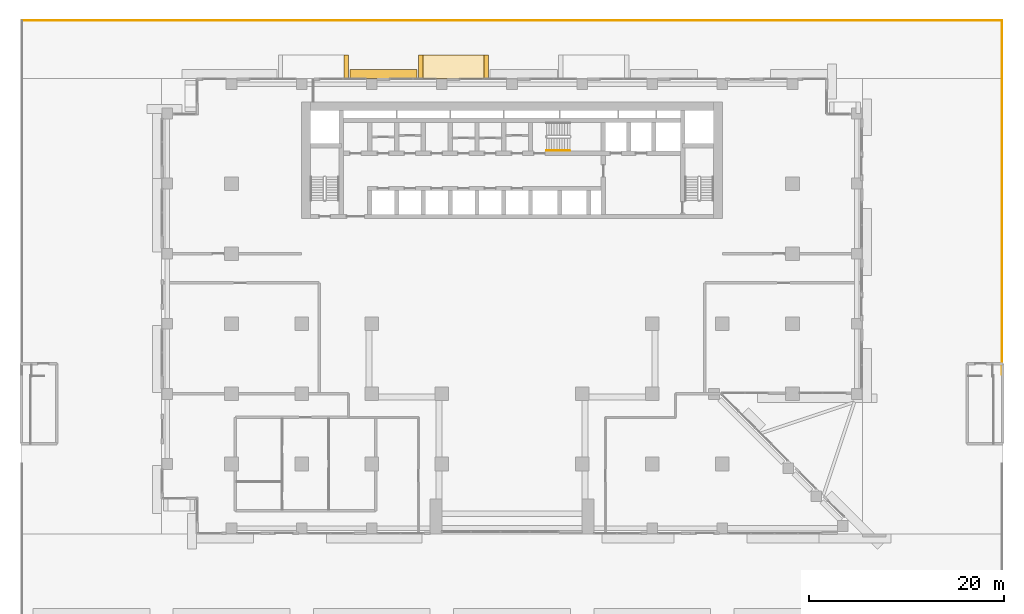
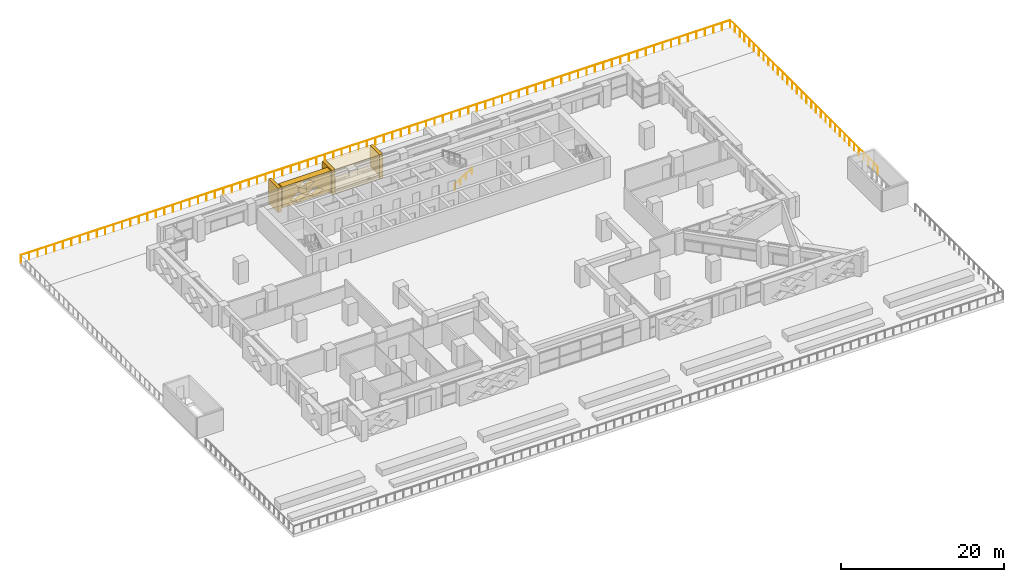
# One storey, part 21 of 24: 6 coverings, 2 railings.
"""IFC4 building model written with IfcOpenShell, lengths in metres."""

from ifc_helpers import new_model, si_unit, direction, frame, origin, origin_2d, place, context, subcontext, project, spatial, polyline, circle, outline, extrude, material, type_object, element, save


model = new_model("IFC4")

# Units and contexts
model_context = context("Model", 3, precision=1e-05, world=origin(), true_north=direction((0.0, 1.0)))
body_context = subcontext(model_context, "Body", "Model", "MODEL_VIEW")
ifc_project = project(units=[si_unit("LENGTHUNIT", "METRE"), si_unit("AREAUNIT", "SQUARE_METRE"), si_unit("VOLUMEUNIT", "CUBIC_METRE"), si_unit("PLANEANGLEUNIT", "RADIAN"), si_unit("MASSUNIT", "GRAM", prefix="KILO")], contexts=[model_context])

# Site, building, storey
site_placement = place(None, origin())
site = spatial("IfcSite", under=ifc_project, at=site_placement, CompositionType="ELEMENT")
building_placement = place(site_placement, origin())
building = spatial("IfcBuilding", under=site, at=building_placement, Name="Saffron Iwan Residences", CompositionType="ELEMENT")
storey_placement = place(building_placement, frame((0.0, 0.0, 27.0)))
storey = spatial("IfcBuildingStorey", under=building, at=storey_placement, Name="L05", CompositionType="ELEMENT", Elevation=27.0)

# Covering
ifc_material_1 = material(Name="Precast concrete C40/50", Category="concrete")
covering_type_1 = type_object("IfcCoveringType", Name="OUTER SKIN LATTICE SCREEN", PredefinedType="CLADDING", material=ifc_material_1)
covering_1_placement = place(storey_placement, frame((40.64990234375, 80.39990234375, 0.050048828125), z_axis=(0.0, 1.0, 0.0), x_axis=(-1.0, 0.0, 0.0)))
element("IfcCovering", 1, at=covering_1_placement, inside=storey, type_object=covering_type_1, Name="OUTER SKIN lattice screen L05 F5.3", PredefinedType="CLADDING", context=body_context, shape_type="SweptSolid", body=[
    extrude(outline(polyline([(0.0, 0.0), (6.89990234375, 0.0), (6.89990234375, 3.1298828125), (0.0, 3.1298828125), (0.0, 0.0)]), holes=[polyline([(1.070068359375, 0.782470703125), (2.25, 0.06005859375), (3.429931640625, 0.782470703125), (2.25, 1.5048828125), (1.070068359375, 0.782470703125)]), polyline([(3.469970703125, 0.782470703125), (4.64990234375, 0.06005859375), (5.830078125, 0.782470703125), (4.64990234375, 1.5048828125), (3.469970703125, 0.782470703125)]), polyline([(2.27001953125, 2.347412109375), (3.449951171875, 1.625), (4.6298828125, 2.347412109375), (3.449951171875, 3.070068359375), (2.27001953125, 2.347412109375)])]), origin(), (0.0, 0.0, 1.0), 0.900146484375),
])

# Railings
ifc_material_2 = material(Name="Stainless steel 316", Category="steel")
railing_type_1 = type_object("IfcRailingType", Name="Stair handrail 900", PredefinedType="HANDRAIL", material=ifc_material_2)
railing_1_placement = place(storey_placement, frame((53.925048828125, 72.97509765625, 0.175048828125)))
element("IfcRailing", 2, at=railing_1_placement, inside=storey, type_object=railing_type_1, Name="L05 ST-C stair handrail 1", PredefinedType="HANDRAIL", context=body_context, shape_type="SweptSolid", body=[
    extrude(circle(Radius=0.02392578125, at=origin_2d()), frame((0.0, 0.0, 0.8759765625), z_axis=(0.839153699163, 0.0, 0.543894354798), x_axis=(0.0, 1.0, 0.0)), (0.0, 0.0, 1.0), 2.895751953125),
    extrude(circle(Radius=0.02099609375, at=origin_2d()), origin(), (0.0, 0.0, 1.0), 0.851806640625),
    extrude(circle(Radius=0.02099609375, at=origin_2d()), frame((0.81005859375, 0.0, 0.52490234375)), (0.0, 0.0, 1.0), 0.851806640625),
    extrude(circle(Radius=0.02099609375, at=origin_2d()), frame((1.619873046875, 0.0, 1.050048828125)), (0.0, 0.0, 1.0), 0.851806640625),
    extrude(circle(Radius=0.02099609375, at=origin_2d()), frame((2.429931640625, 0.0, 1.574951171875)), (0.0, 0.0, 1.0), 0.851806640625),
])
railing_type_2 = type_object("IfcRailingType", Name="TERRACE GUARD 1150", PredefinedType="BALUSTRADE", material=ifc_material_2)
railing_2_placement = place(storey_placement, frame((0.074951171875, 86.324951171875, 0.050048828125)))
element("IfcRailing", 3, at=railing_2_placement, inside=storey, type_object=railing_type_2, Name="Terrace guard L05 1", PredefinedType="BALUSTRADE", context=body_context, shape_type="SweptSolid", body=[
    extrude(circle(Radius=0.02392578125, at=origin_2d()), frame((0.0, 0.0, 1.1259765625), z_axis=(1.0, 0.0, 0.0), x_axis=(0.0, 1.0, 0.0)), (0.0, 0.0, 1.0), 100.650146484375),
    extrude(circle(Radius=0.02392578125, at=origin_2d()), frame((100.650146484375, 0.0, 1.1259765625), z_axis=(0.0, -1.0, 0.0), x_axis=(1.0, 0.0, 0.0)), (0.0, 0.0, 1.0), 36.324951171875),
    extrude(circle(Radius=0.02099609375, at=origin_2d()), origin(), (0.0, 0.0, 1.0), 1.101806640625),
    extrude(circle(Radius=0.02099609375, at=origin_2d()), frame((1.1982421875, 0.0, 0.0)), (0.0, 0.0, 1.0), 1.101806640625),
    extrude(circle(Radius=0.02099609375, at=origin_2d()), frame((2.396484375, 0.0, 0.0)), (0.0, 0.0, 1.0), 1.101806640625),
    extrude(circle(Radius=0.02099609375, at=origin_2d()), frame((3.5947265625, 0.0, 0.0)), (0.0, 0.0, 1.0), 1.101806640625),
    extrude(circle(Radius=0.02099609375, at=origin_2d()), frame((4.79296875, 0.0, 0.0)), (0.0, 0.0, 1.0), 1.101806640625),
    extrude(circle(Radius=0.02099609375, at=origin_2d()), frame((5.990966796875, 0.0, 0.0)), (0.0, 0.0, 1.0), 1.101806640625),
    extrude(circle(Radius=0.02099609375, at=origin_2d()), frame((7.189208984375, 0.0, 0.0)), (0.0, 0.0, 1.0), 1.101806640625),
    extrude(circle(Radius=0.02099609375, at=origin_2d()), frame((8.387451171875, 0.0, 0.0)), (0.0, 0.0, 1.0), 1.101806640625),
    extrude(circle(Radius=0.02099609375, at=origin_2d()), frame((9.585693359375, 0.0, 0.0)), (0.0, 0.0, 1.0), 1.101806640625),
    extrude(circle(Radius=0.02099609375, at=origin_2d()), frame((10.783935546875, 0.0, 0.0)), (0.0, 0.0, 1.0), 1.101806640625),
    extrude(circle(Radius=0.02099609375, at=origin_2d()), frame((11.982177734375, 0.0, 0.0)), (0.0, 0.0, 1.0), 1.101806640625),
    extrude(circle(Radius=0.02099609375, at=origin_2d()), frame((13.180419921875, 0.0, 0.0)), (0.0, 0.0, 1.0), 1.101806640625),
    extrude(circle(Radius=0.02099609375, at=origin_2d()), frame((14.378662109375, 0.0, 0.0)), (0.0, 0.0, 1.0), 1.101806640625),
    extrude(circle(Radius=0.02099609375, at=origin_2d()), frame((15.576904296875, 0.0, 0.0)), (0.0, 0.0, 1.0), 1.101806640625),
    extrude(circle(Radius=0.02099609375, at=origin_2d()), frame((16.77490234375, 0.0, 0.0)), (0.0, 0.0, 1.0), 1.101806640625),
    extrude(circle(Radius=0.02099609375, at=origin_2d()), frame((17.97314453125, 0.0, 0.0)), (0.0, 0.0, 1.0), 1.101806640625),
    extrude(circle(Radius=0.02099609375, at=origin_2d()), frame((19.17138671875, 0.0, 0.0)), (0.0, 0.0, 1.0), 1.101806640625),
    extrude(circle(Radius=0.02099609375, at=origin_2d()), frame((20.36962890625, 0.0, 0.0)), (0.0, 0.0, 1.0), 1.101806640625),
    extrude(circle(Radius=0.02099609375, at=origin_2d()), frame((21.56787109375, 0.0, 0.0)), (0.0, 0.0, 1.0), 1.101806640625),
    extrude(circle(Radius=0.02099609375, at=origin_2d()), frame((22.76611328125, 0.0, 0.0)), (0.0, 0.0, 1.0), 1.101806640625),
    extrude(circle(Radius=0.02099609375, at=origin_2d()), frame((23.96435546875, 0.0, 0.0)), (0.0, 0.0, 1.0), 1.101806640625),
    extrude(circle(Radius=0.02099609375, at=origin_2d()), frame((25.16259765625, 0.0, 0.0)), (0.0, 0.0, 1.0), 1.101806640625),
    extrude(circle(Radius=0.02099609375, at=origin_2d()), frame((26.36083984375, 0.0, 0.0)), (0.0, 0.0, 1.0), 1.101806640625),
    extrude(circle(Radius=0.02099609375, at=origin_2d()), frame((27.55908203125, 0.0, 0.0)), (0.0, 0.0, 1.0), 1.101806640625),
    extrude(circle(Radius=0.02099609375, at=origin_2d()), frame((28.757080078125, 0.0, 0.0)), (0.0, 0.0, 1.0), 1.101806640625),
    extrude(circle(Radius=0.02099609375, at=origin_2d()), frame((29.955322265625, 0.0, 0.0)), (0.0, 0.0, 1.0), 1.101806640625),
    extrude(circle(Radius=0.02099609375, at=origin_2d()), frame((31.153564453125, 0.0, 0.0)), (0.0, 0.0, 1.0), 1.101806640625),
    extrude(circle(Radius=0.02099609375, at=origin_2d()), frame((32.351806640625, 0.0, 0.0)), (0.0, 0.0, 1.0), 1.101806640625),
    extrude(circle(Radius=0.02099609375, at=origin_2d()), frame((33.550048828125, 0.0, 0.0)), (0.0, 0.0, 1.0), 1.101806640625),
    extrude(circle(Radius=0.02099609375, at=origin_2d()), frame((34.748291015625, 0.0, 0.0)), (0.0, 0.0, 1.0), 1.101806640625),
    extrude(circle(Radius=0.02099609375, at=origin_2d()), frame((35.946533203125, 0.0, 0.0)), (0.0, 0.0, 1.0), 1.101806640625),
    extrude(circle(Radius=0.02099609375, at=origin_2d()), frame((37.144775390625, 0.0, 0.0)), (0.0, 0.0, 1.0), 1.101806640625),
    extrude(circle(Radius=0.02099609375, at=origin_2d()), frame((38.343017578125, 0.0, 0.0)), (0.0, 0.0, 1.0), 1.101806640625),
    extrude(circle(Radius=0.02099609375, at=origin_2d()), frame((39.541015625, 0.0, 0.0)), (0.0, 0.0, 1.0), 1.101806640625),
    extrude(circle(Radius=0.02099609375, at=origin_2d()), frame((40.7392578125, 0.0, 0.0)), (0.0, 0.0, 1.0), 1.101806640625),
    extrude(circle(Radius=0.02099609375, at=origin_2d()), frame((41.9375, 0.0, 0.0)), (0.0, 0.0, 1.0), 1.101806640625),
    extrude(circle(Radius=0.02099609375, at=origin_2d()), frame((43.1357421875, 0.0, 0.0)), (0.0, 0.0, 1.0), 1.101806640625),
    extrude(circle(Radius=0.02099609375, at=origin_2d()), frame((44.333984375, 0.0, 0.0)), (0.0, 0.0, 1.0), 1.101806640625),
    extrude(circle(Radius=0.02099609375, at=origin_2d()), frame((45.5322265625, 0.0, 0.0)), (0.0, 0.0, 1.0), 1.101806640625),
    extrude(circle(Radius=0.02099609375, at=origin_2d()), frame((46.73046875, 0.0, 0.0)), (0.0, 0.0, 1.0), 1.101806640625),
    extrude(circle(Radius=0.02099609375, at=origin_2d()), frame((47.9287109375, 0.0, 0.0)), (0.0, 0.0, 1.0), 1.101806640625),
    extrude(circle(Radius=0.02099609375, at=origin_2d()), frame((49.126953125, 0.0, 0.0)), (0.0, 0.0, 1.0), 1.101806640625),
    extrude(circle(Radius=0.02099609375, at=origin_2d()), frame((50.3251953125, 0.0, 0.0)), (0.0, 0.0, 1.0), 1.101806640625),
    extrude(circle(Radius=0.02099609375, at=origin_2d()), frame((51.523193359375, 0.0, 0.0)), (0.0, 0.0, 1.0), 1.101806640625),
    extrude(circle(Radius=0.02099609375, at=origin_2d()), frame((52.721435546875, 0.0, 0.0)), (0.0, 0.0, 1.0), 1.101806640625),
    extrude(circle(Radius=0.02099609375, at=origin_2d()), frame((53.919677734375, 0.0, 0.0)), (0.0, 0.0, 1.0), 1.101806640625),
    extrude(circle(Radius=0.02099609375, at=origin_2d()), frame((55.117919921875, 0.0, 0.0)), (0.0, 0.0, 1.0), 1.101806640625),
    extrude(circle(Radius=0.02099609375, at=origin_2d()), frame((56.316162109375, 0.0, 0.0)), (0.0, 0.0, 1.0), 1.101806640625),
    extrude(circle(Radius=0.02099609375, at=origin_2d()), frame((57.514404296875, 0.0, 0.0)), (0.0, 0.0, 1.0), 1.101806640625),
    extrude(circle(Radius=0.02099609375, at=origin_2d()), frame((58.712646484375, 0.0, 0.0)), (0.0, 0.0, 1.0), 1.101806640625),
    extrude(circle(Radius=0.02099609375, at=origin_2d()), frame((59.910888671875, 0.0, 0.0)), (0.0, 0.0, 1.0), 1.101806640625),
    extrude(circle(Radius=0.02099609375, at=origin_2d()), frame((61.109130859375, 0.0, 0.0)), (0.0, 0.0, 1.0), 1.101806640625),
    extrude(circle(Radius=0.02099609375, at=origin_2d()), frame((62.30712890625, 0.0, 0.0)), (0.0, 0.0, 1.0), 1.101806640625),
    extrude(circle(Radius=0.02099609375, at=origin_2d()), frame((63.50537109375, 0.0, 0.0)), (0.0, 0.0, 1.0), 1.101806640625),
    extrude(circle(Radius=0.02099609375, at=origin_2d()), frame((64.70361328125, 0.0, 0.0)), (0.0, 0.0, 1.0), 1.101806640625),
    extrude(circle(Radius=0.02099609375, at=origin_2d()), frame((65.90185546875, 0.0, 0.0)), (0.0, 0.0, 1.0), 1.101806640625),
    extrude(circle(Radius=0.02099609375, at=origin_2d()), frame((67.10009765625, 0.0, 0.0)), (0.0, 0.0, 1.0), 1.101806640625),
    extrude(circle(Radius=0.02099609375, at=origin_2d()), frame((68.29833984375, 0.0, 0.0)), (0.0, 0.0, 1.0), 1.101806640625),
    extrude(circle(Radius=0.02099609375, at=origin_2d()), frame((69.49658203125, 0.0, 0.0)), (0.0, 0.0, 1.0), 1.101806640625),
    extrude(circle(Radius=0.02099609375, at=origin_2d()), frame((70.69482421875, 0.0, 0.0)), (0.0, 0.0, 1.0), 1.101806640625),
    extrude(circle(Radius=0.02099609375, at=origin_2d()), frame((71.89306640625, 0.0, 0.0)), (0.0, 0.0, 1.0), 1.101806640625),
    extrude(circle(Radius=0.02099609375, at=origin_2d()), frame((73.091064453125, 0.0, 0.0)), (0.0, 0.0, 1.0), 1.101806640625),
    extrude(circle(Radius=0.02099609375, at=origin_2d()), frame((74.289306640625, 0.0, 0.0)), (0.0, 0.0, 1.0), 1.101806640625),
    extrude(circle(Radius=0.02099609375, at=origin_2d()), frame((75.487548828125, 0.0, 0.0)), (0.0, 0.0, 1.0), 1.101806640625),
    extrude(circle(Radius=0.02099609375, at=origin_2d()), frame((76.685791015625, 0.0, 0.0)), (0.0, 0.0, 1.0), 1.101806640625),
    extrude(circle(Radius=0.02099609375, at=origin_2d()), frame((77.884033203125, 0.0, 0.0)), (0.0, 0.0, 1.0), 1.101806640625),
    extrude(circle(Radius=0.02099609375, at=origin_2d()), frame((79.082275390625, 0.0, 0.0)), (0.0, 0.0, 1.0), 1.101806640625),
    extrude(circle(Radius=0.02099609375, at=origin_2d()), frame((80.280517578125, 0.0, 0.0)), (0.0, 0.0, 1.0), 1.101806640625),
    extrude(circle(Radius=0.02099609375, at=origin_2d()), frame((81.478759765625, 0.0, 0.0)), (0.0, 0.0, 1.0), 1.101806640625),
    extrude(circle(Radius=0.02099609375, at=origin_2d()), frame((82.677001953125, 0.0, 0.0)), (0.0, 0.0, 1.0), 1.101806640625),
    extrude(circle(Radius=0.02099609375, at=origin_2d()), frame((83.875, 0.0, 0.0)), (0.0, 0.0, 1.0), 1.101806640625),
    extrude(circle(Radius=0.02099609375, at=origin_2d()), frame((85.0732421875, 0.0, 0.0)), (0.0, 0.0, 1.0), 1.101806640625),
    extrude(circle(Radius=0.02099609375, at=origin_2d()), frame((86.271484375, 0.0, 0.0)), (0.0, 0.0, 1.0), 1.101806640625),
    extrude(circle(Radius=0.02099609375, at=origin_2d()), frame((87.4697265625, 0.0, 0.0)), (0.0, 0.0, 1.0), 1.101806640625),
    extrude(circle(Radius=0.02099609375, at=origin_2d()), frame((88.66796875, 0.0, 0.0)), (0.0, 0.0, 1.0), 1.101806640625),
    extrude(circle(Radius=0.02099609375, at=origin_2d()), frame((89.8662109375, 0.0, 0.0)), (0.0, 0.0, 1.0), 1.101806640625),
    extrude(circle(Radius=0.02099609375, at=origin_2d()), frame((91.064453125, 0.0, 0.0)), (0.0, 0.0, 1.0), 1.101806640625),
    extrude(circle(Radius=0.02099609375, at=origin_2d()), frame((92.2626953125, 0.0, 0.0)), (0.0, 0.0, 1.0), 1.101806640625),
    extrude(circle(Radius=0.02099609375, at=origin_2d()), frame((93.4609375, 0.0, 0.0)), (0.0, 0.0, 1.0), 1.101806640625),
    extrude(circle(Radius=0.02099609375, at=origin_2d()), frame((94.6591796875, 0.0, 0.0)), (0.0, 0.0, 1.0), 1.101806640625),
    extrude(circle(Radius=0.02099609375, at=origin_2d()), frame((95.857177734375, 0.0, 0.0)), (0.0, 0.0, 1.0), 1.101806640625),
    extrude(circle(Radius=0.02099609375, at=origin_2d()), frame((97.055419921875, 0.0, 0.0)), (0.0, 0.0, 1.0), 1.101806640625),
    extrude(circle(Radius=0.02099609375, at=origin_2d()), frame((98.253662109375, 0.0, 0.0)), (0.0, 0.0, 1.0), 1.101806640625),
    extrude(circle(Radius=0.02099609375, at=origin_2d()), frame((99.451904296875, 0.0, 0.0)), (0.0, 0.0, 1.0), 1.101806640625),
    extrude(circle(Radius=0.02099609375, at=origin_2d()), frame((100.650146484375, 0.0, 0.0)), (0.0, 0.0, 1.0), 1.101806640625),
    extrude(circle(Radius=0.02099609375, at=origin_2d()), frame((100.650146484375, -1.171875, 0.0)), (0.0, 0.0, 1.0), 1.101806640625),
    extrude(circle(Radius=0.02099609375, at=origin_2d()), frame((100.650146484375, -2.343505859375, 0.0)), (0.0, 0.0, 1.0), 1.101806640625),
    extrude(circle(Radius=0.02099609375, at=origin_2d()), frame((100.650146484375, -3.515380859375, 0.0)), (0.0, 0.0, 1.0), 1.101806640625),
    extrude(circle(Radius=0.02099609375, at=origin_2d()), frame((100.650146484375, -4.68701171875, 0.0)), (0.0, 0.0, 1.0), 1.101806640625),
    extrude(circle(Radius=0.02099609375, at=origin_2d()), frame((100.650146484375, -5.85888671875, 0.0)), (0.0, 0.0, 1.0), 1.101806640625),
    extrude(circle(Radius=0.02099609375, at=origin_2d()), frame((100.650146484375, -7.030517578125, 0.0)), (0.0, 0.0, 1.0), 1.101806640625),
    extrude(circle(Radius=0.02099609375, at=origin_2d()), frame((100.650146484375, -8.202392578125, 0.0)), (0.0, 0.0, 1.0), 1.101806640625),
    extrude(circle(Radius=0.02099609375, at=origin_2d()), frame((100.650146484375, -9.374267578125, 0.0)), (0.0, 0.0, 1.0), 1.101806640625),
    extrude(circle(Radius=0.02099609375, at=origin_2d()), frame((100.650146484375, -10.5458984375, 0.0)), (0.0, 0.0, 1.0), 1.101806640625),
    extrude(circle(Radius=0.02099609375, at=origin_2d()), frame((100.650146484375, -11.7177734375, 0.0)), (0.0, 0.0, 1.0), 1.101806640625),
    extrude(circle(Radius=0.02099609375, at=origin_2d()), frame((100.650146484375, -12.889404296875, 0.0)), (0.0, 0.0, 1.0), 1.101806640625),
    extrude(circle(Radius=0.02099609375, at=origin_2d()), frame((100.650146484375, -14.061279296875, 0.0)), (0.0, 0.0, 1.0), 1.101806640625),
    extrude(circle(Radius=0.02099609375, at=origin_2d()), frame((100.650146484375, -15.233154296875, 0.0)), (0.0, 0.0, 1.0), 1.101806640625),
    extrude(circle(Radius=0.02099609375, at=origin_2d()), frame((100.650146484375, -16.40478515625, 0.0)), (0.0, 0.0, 1.0), 1.101806640625),
    extrude(circle(Radius=0.02099609375, at=origin_2d()), frame((100.650146484375, -17.57666015625, 0.0)), (0.0, 0.0, 1.0), 1.101806640625),
    extrude(circle(Radius=0.02099609375, at=origin_2d()), frame((100.650146484375, -18.748291015625, 0.0)), (0.0, 0.0, 1.0), 1.101806640625),
    extrude(circle(Radius=0.02099609375, at=origin_2d()), frame((100.650146484375, -19.920166015625, 0.0)), (0.0, 0.0, 1.0), 1.101806640625),
    extrude(circle(Radius=0.02099609375, at=origin_2d()), frame((100.650146484375, -21.091796875, 0.0)), (0.0, 0.0, 1.0), 1.101806640625),
    extrude(circle(Radius=0.02099609375, at=origin_2d()), frame((100.650146484375, -22.263671875, 0.0)), (0.0, 0.0, 1.0), 1.101806640625),
    extrude(circle(Radius=0.02099609375, at=origin_2d()), frame((100.650146484375, -23.435546875, 0.0)), (0.0, 0.0, 1.0), 1.101806640625),
    extrude(circle(Radius=0.02099609375, at=origin_2d()), frame((100.650146484375, -24.607177734375, 0.0)), (0.0, 0.0, 1.0), 1.101806640625),
    extrude(circle(Radius=0.02099609375, at=origin_2d()), frame((100.650146484375, -25.779052734375, 0.0)), (0.0, 0.0, 1.0), 1.101806640625),
    extrude(circle(Radius=0.02099609375, at=origin_2d()), frame((100.650146484375, -26.95068359375, 0.0)), (0.0, 0.0, 1.0), 1.101806640625),
    extrude(circle(Radius=0.02099609375, at=origin_2d()), frame((100.650146484375, -28.12255859375, 0.0)), (0.0, 0.0, 1.0), 1.101806640625),
    extrude(circle(Radius=0.02099609375, at=origin_2d()), frame((100.650146484375, -29.29443359375, 0.0)), (0.0, 0.0, 1.0), 1.101806640625),
    extrude(circle(Radius=0.02099609375, at=origin_2d()), frame((100.650146484375, -30.466064453125, 0.0)), (0.0, 0.0, 1.0), 1.101806640625),
    extrude(circle(Radius=0.02099609375, at=origin_2d()), frame((100.650146484375, -31.637939453125, 0.0)), (0.0, 0.0, 1.0), 1.101806640625),
    extrude(circle(Radius=0.02099609375, at=origin_2d()), frame((100.650146484375, -32.8095703125, 0.0)), (0.0, 0.0, 1.0), 1.101806640625),
    extrude(circle(Radius=0.02099609375, at=origin_2d()), frame((100.650146484375, -33.9814453125, 0.0)), (0.0, 0.0, 1.0), 1.101806640625),
    extrude(circle(Radius=0.02099609375, at=origin_2d()), frame((100.650146484375, -35.153076171875, 0.0)), (0.0, 0.0, 1.0), 1.101806640625),
    extrude(circle(Radius=0.02099609375, at=origin_2d()), frame((100.650146484375, -36.324951171875, 0.0)), (0.0, 0.0, 1.0), 1.101806640625),
])

# Coverings
ifc_material_3 = material(Name="Precast concrete C40/50 white painted", Category="concrete")
covering_type_2 = type_object("IfcCoveringType", Name="WHITE SUN FRAME PRECAST", PredefinedType="CLADDING", material=ifc_material_3)
for number, where, z_axis, x_axis, name in (
    (4, (48.0, 80.39990234375, -0.449951171875), (0.0, 1.0, 0.0), (-1.0, 0.0, 0.0), "Sun frame L05 F5 34.8a"),
    (5, (41.25, 80.39990234375, -0.449951171875), (0.0, 1.0, 0.0), (-1.0, 0.0, 0.0), "Sun frame L05 F5 34.8b"),
):
    element("IfcCovering", number, at=place(storey_placement, frame(where, z_axis=z_axis, x_axis=x_axis)), inside=storey, type_object=covering_type_2, Name=name, PredefinedType="CLADDING", context=body_context, shape_type="SweptSolid", body=[
        extrude(outline(polyline([(0.0, 0.0), (0.449951171875, 0.0), (0.449951171875, 3.6298828125), (0.0, 3.6298828125), (0.0, 0.0)])), origin(), (0.0, 0.0, 1.0), 2.400146484375),
    ])
for number, where, z_axis, x_axis, name in (
    (6, (47.550048828125, 80.39990234375, 2.580078125), (0.0, 1.0, 0.0), (-1.0, 0.0, 0.0), "Sun frame L05 F5 34.8h"),
    (7, (47.550048828125, 80.39990234375, -0.449951171875), (0.0, 1.0, 0.0), (-1.0, 0.0, 0.0), "Sun frame L05 F5 34.8s"),
):
    element("IfcCovering", number, at=place(storey_placement, frame(where, z_axis=z_axis, x_axis=x_axis)), inside=storey, type_object=covering_type_2, Name=name, PredefinedType="CLADDING", context=body_context, shape_type="SweptSolid", body=[
        extrude(outline(polyline([(0.0, 0.0), (6.300048828125, 0.0), (6.300048828125, 0.60009765625), (0.0, 0.60009765625), (0.0, 0.0)])), origin(), (0.0, 0.0, 1.0), 2.400146484375),
    ])
covering_2_placement = place(storey_placement, frame((33.60009765625, 80.39990234375, -0.449951171875), z_axis=(0.0, 1.0, 0.0), x_axis=(-1.0, 0.0, 0.0)))
element("IfcCovering", 8, at=covering_2_placement, inside=storey, type_object=covering_type_2, Name="Sun frame L05 F5 49.2a", PredefinedType="CLADDING", context=body_context, shape_type="SweptSolid", body=[
    extrude(outline(polyline([(0.0, 0.0), (0.449951171875, 0.0), (0.449951171875, 3.6298828125), (0.0, 3.6298828125), (0.0, 0.0)])), origin(), (0.0, 0.0, 1.0), 2.400146484375),
])

save(model, "model.ifc")
